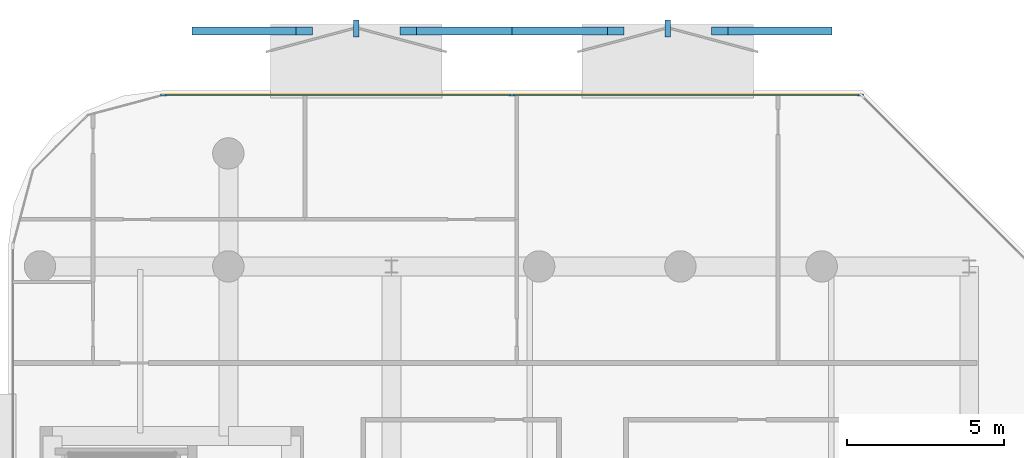
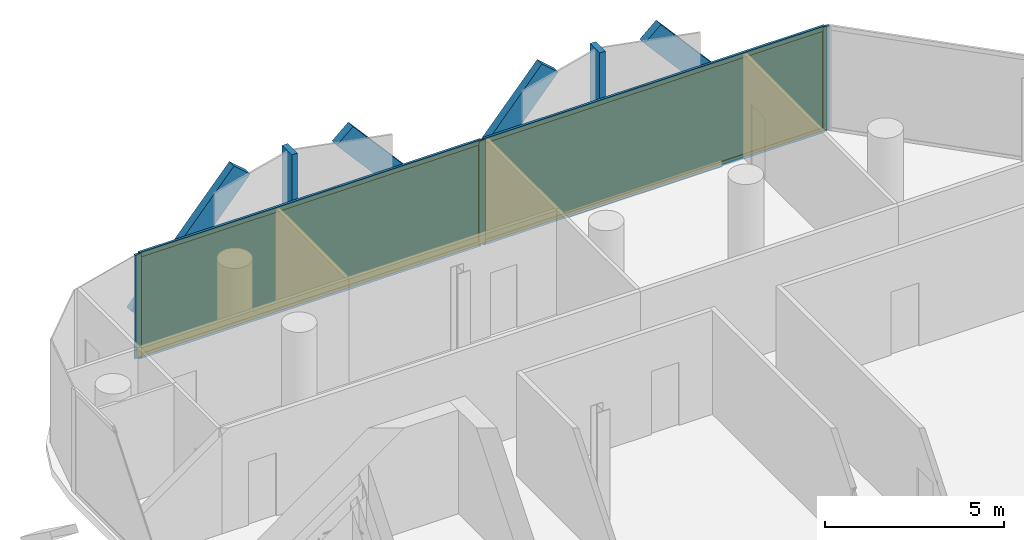
# One storey, part 11 of 16: 13 members, 2 plates, 1 curtain wall.
"""IFC4 building model written with IfcOpenShell, lengths in metres."""

from ifc_helpers import new_model, si_unit, direction, frame, frame_2d, origin, origin_2d, place, context, subcontext, project, spatial, rectangle, extrude, material, layer, layer_set, material_profile, profile_set, type_object, element, aggregate, save


model = new_model("IFC4")

# Units and contexts
model_context = context("Model", 3, precision=1e-05, world=origin(), true_north=direction((0.0, 1.0)))
body_context = subcontext(model_context, "Body", "Model", "MODEL_VIEW")
ifc_project = project(units=[si_unit("LENGTHUNIT", "METRE"), si_unit("AREAUNIT", "SQUARE_METRE"), si_unit("VOLUMEUNIT", "CUBIC_METRE"), si_unit("PLANEANGLEUNIT", "RADIAN"), si_unit("MASSUNIT", "GRAM", prefix="KILO")], contexts=[model_context])

# Member
ifc_material_1 = material(Name="Anodised Bronze Aluminium 6063-T6", Category="aluminium")
ifc_material_profile_1 = material_profile(ifc_material_1, rectangle(XDim=0.260009765625, YDim=0.699951171875, at=origin_2d()))
ifc_profile_set_1 = profile_set([ifc_material_profile_1], Name="Anodised Bronze Aluminium 6063-T6")
member_type_1 = type_object("IfcMemberType", Name="Bronze Diamond Solar-Screen Lattice Rib BDL-700", PredefinedType="MULLION", material=ifc_profile_set_1)
site_placement = place(None, origin())
building_placement = place(site_placement, origin())
storey_placement = place(building_placement, frame((0.0, 0.0, 311.800048828125)))
member_1_placement = place(storey_placement, frame((-15.290771484375, 26.10009765625, -0.130126953125), z_axis=(0.656681195754, 0.0, 0.754168288343), x_axis=(0.0, 1.0, 0.0)))
member_1 = element("IfcMember", 1, at=member_1_placement, type_object=member_type_1, Name="L75 Bronze Diamond Solar Screen Lattice Rib 530A", PredefinedType="MULLION", context=body_context, shape_type="SweptSolid", body=[
    extrude(rectangle(XDim=0.260009765625, YDim=0.699951171875, at=origin_2d()), origin(), (0.0, 0.0, 1.0), 5.038818359375),
])

member_2_placement = place(storey_placement, frame((-5.364501953125, 26.10009765625, -0.130126953125), z_axis=(-0.656653635933, 0.0, 0.754192284777), x_axis=(0.0, -1.0, 0.0)))
member_2 = element("IfcMember", 2, at=member_2_placement, type_object=member_type_1, Name="L75 Bronze Diamond Solar Screen Lattice Rib 530B", PredefinedType="MULLION", context=body_context, shape_type="SweptSolid", body=[
    extrude(rectangle(XDim=0.260009765625, YDim=0.699951171875, at=origin_2d()), origin(), (0.0, 0.0, 1.0), 5.03857421875),
])

member_3_placement = place(storey_placement, frame((-5.364501953125, 26.10009765625, -0.130126953125), z_axis=(0.656681195754, 0.0, 0.754168288343), x_axis=(0.0, 1.0, 0.0)))
member_3 = element("IfcMember", 3, at=member_3_placement, type_object=member_type_1, Name="L75 Bronze Diamond Solar Screen Lattice Rib 531A", PredefinedType="MULLION", context=body_context, shape_type="SweptSolid", body=[
    extrude(rectangle(XDim=0.260009765625, YDim=0.699951171875, at=origin_2d()), origin(), (0.0, 0.0, 1.0), 5.038818359375),
])

member_4_placement = place(storey_placement, frame((4.56201171875, 26.10009765625, -0.130126953125), z_axis=(-0.656681195754, 0.0, 0.754168288343), x_axis=(0.0, -1.0, 0.0)))
member_4 = element("IfcMember", 4, at=member_4_placement, type_object=member_type_1, Name="L75 Bronze Diamond Solar Screen Lattice Rib 531B", PredefinedType="MULLION", context=body_context, shape_type="SweptSolid", body=[
    extrude(rectangle(XDim=0.260009765625, YDim=0.699951171875, at=origin_2d()), origin(), (0.0, 0.0, 1.0), 5.038818359375),
])

ifc_material_2 = material(Name="Anodised Bronze Aluminium 6063-T6", Category="aluminium")
ifc_material_profile_2 = material_profile(ifc_material_2, rectangle(XDim=0.179931640625, YDim=0.5400390625, at=origin_2d()))
ifc_profile_set_2 = profile_set([ifc_material_profile_2], Name="Anodised Bronze Aluminium 6063-T6")
member_type_2 = type_object("IfcMemberType", Name="Bronze Solar-Screen Vertical Fold Fin BSF-540", PredefinedType="MULLION", material=ifc_profile_set_2)
member_5_placement = place(storey_placement, frame((-10.32763671875, 26.179931640625, -0.130126953125), z_axis=(0.0, 0.0, 1.0), x_axis=(1.0, 0.0, 0.0)))
member_5 = element("IfcMember", 5, at=member_5_placement, type_object=member_type_2, Name="L75 Bronze Solar Screen Vertical Fin 530", PredefinedType="MULLION", context=body_context, shape_type="SweptSolid", body=[
    extrude(rectangle(XDim=0.179931640625, YDim=0.5400390625, at=origin_2d()), origin(), (0.0, 0.0, 1.0), 3.800048828125),
])

member_6_placement = place(storey_placement, frame((-0.401123046875, 26.179931640625, -0.130126953125), z_axis=(0.0, 0.0, 1.0), x_axis=(1.0, 0.0, 0.0)))
member_6 = element("IfcMember", 6, at=member_6_placement, type_object=member_type_2, Name="L75 Bronze Solar Screen Vertical Fin 531", PredefinedType="MULLION", context=body_context, shape_type="SweptSolid", body=[
    extrude(rectangle(XDim=0.179931640625, YDim=0.5400390625, at=origin_2d()), origin(), (0.0, 0.0, 1.0), 3.800048828125),
])

ifc_material_3 = material(Name="Anodised Bronze Aluminium 6063-T6", Category="aluminium")
ifc_material_profile_3 = material_profile(ifc_material_3, rectangle(XDim=0.074951171875, YDim=0.2099609375, at=origin_2d()))
ifc_profile_set_3 = profile_set([ifc_material_profile_3], Name="Anodised Bronze Aluminium 6063-T6")
member_type_3 = type_object("IfcMemberType", Name="CW-CRN Mullion 75x210", PredefinedType="MULLION", material=ifc_profile_set_3)
member_7_placement = place(storey_placement, frame((-16.453369140625, 24.06005859375, 0.0), z_axis=(0.0, 0.0, 1.0), x_axis=(0.0, 1.0, 0.0)))
member_7 = element("IfcMember", 7, at=member_7_placement, type_object=member_type_3, Name="CW-CRN mullion 1", PredefinedType="MULLION", context=body_context, shape_type="SweptSolid", body=[
    extrude(rectangle(XDim=0.074951171875, YDim=0.2099609375, at=origin_2d()), origin(), (0.0, 0.0, 1.0), 3.5400390625),
])

member_8_placement = place(storey_placement, frame((-5.364501953125, 24.06005859375, 0.0), z_axis=(0.0, 0.0, 1.0), x_axis=(0.0, 1.0, 0.0)))
member_8 = element("IfcMember", 8, at=member_8_placement, type_object=member_type_3, Name="CW-CRN mullion 2", PredefinedType="MULLION", context=body_context, shape_type="SweptSolid", body=[
    extrude(rectangle(XDim=0.074951171875, YDim=0.2099609375, at=origin_2d()), origin(), (0.0, 0.0, 1.0), 3.5400390625),
])

member_9_placement = place(storey_placement, frame((5.724609375, 24.06005859375, 0.0), z_axis=(0.0, 0.0, 1.0), x_axis=(0.0, 1.0, 0.0)))
member_9 = element("IfcMember", 9, at=member_9_placement, type_object=member_type_3, Name="CW-CRN mullion 3", PredefinedType="MULLION", context=body_context, shape_type="SweptSolid", body=[
    extrude(rectangle(XDim=0.074951171875, YDim=0.2099609375, at=origin_2d()), origin(), (0.0, 0.0, 1.0), 3.5400390625),
])

ifc_material_4 = material(Name="Anodised Bronze Aluminium 6063-T6", Category="aluminium")
ifc_material_profile_4 = material_profile(ifc_material_4, rectangle(XDim=0.074951171875, YDim=0.1650390625, at=origin_2d()))
ifc_profile_set_4 = profile_set([ifc_material_profile_4], Name="Anodised Bronze Aluminium 6063-T6")
member_type_4 = type_object("IfcMemberType", Name="CW-CRN Transom 75x165", PredefinedType="USERDEFINED", material=ifc_profile_set_4)
member_10_placement = place(storey_placement, frame((-16.415771484375, 24.06005859375, 0.037353515625), z_axis=(1.0, 0.0, 0.0), x_axis=(0.0, 1.0, 0.0)))
member_10 = element("IfcMember", 10, at=member_10_placement, type_object=member_type_4, Name="CW-CRN transom 1.1", ObjectType="TRANSOM", PredefinedType="USERDEFINED", context=body_context, shape_type="SweptSolid", body=[
    extrude(rectangle(XDim=0.074951171875, YDim=0.1650390625, at=origin_2d()), origin(), (0.0, 0.0, 1.0), 11.013916015625),
])

member_11_placement = place(storey_placement, frame((-16.415771484375, 24.06005859375, 3.50244140625), z_axis=(1.0, 0.0, 0.0), x_axis=(0.0, 1.0, 0.0)))
member_11 = element("IfcMember", 11, at=member_11_placement, type_object=member_type_4, Name="CW-CRN transom 1.2", ObjectType="TRANSOM", PredefinedType="USERDEFINED", context=body_context, shape_type="SweptSolid", body=[
    extrude(rectangle(XDim=0.074951171875, YDim=0.1650390625, at=origin_2d()), origin(), (0.0, 0.0, 1.0), 11.013916015625),
])

member_12_placement = place(storey_placement, frame((-5.326904296875, 24.06005859375, 0.037353515625), z_axis=(1.0, 0.0, 0.0), x_axis=(0.0, 1.0, 0.0)))
member_12 = element("IfcMember", 12, at=member_12_placement, type_object=member_type_4, Name="CW-CRN transom 2.1", ObjectType="TRANSOM", PredefinedType="USERDEFINED", context=body_context, shape_type="SweptSolid", body=[
    extrude(rectangle(XDim=0.074951171875, YDim=0.1650390625, at=origin_2d()), origin(), (0.0, 0.0, 1.0), 11.013916015625),
])

member_13_placement = place(storey_placement, frame((-5.326904296875, 24.06005859375, 3.50244140625), z_axis=(1.0, 0.0, 0.0), x_axis=(0.0, 1.0, 0.0)))
member_13 = element("IfcMember", 13, at=member_13_placement, type_object=member_type_4, Name="CW-CRN transom 2.2", ObjectType="TRANSOM", PredefinedType="USERDEFINED", context=body_context, shape_type="SweptSolid", body=[
    extrude(rectangle(XDim=0.074951171875, YDim=0.1650390625, at=origin_2d()), origin(), (0.0, 0.0, 1.0), 11.013916015625),
])

# Plate
ifc_material_5 = material(Name="Low-E Solar Control Laminated Glass", Category="glass")
ifc_layer_1 = layer(ifc_material_5, 0.035888671875, Name="Low-E Solar Control Laminated Glass")
ifc_layer_set_1 = layer_set([ifc_layer_1], Name="Low-E Solar Control Laminated Glass")
plate_type = type_object("IfcPlateType", Name="CW-CRN Low-E Double Glazed Panel 36mm", PredefinedType="CURTAIN_PANEL", material=ifc_layer_set_1)
plate_1_placement = place(storey_placement, frame((-10.908935546875, 24.06005859375, 0.0751953125), z_axis=(0.0, 0.0, 1.0), x_axis=(1.0, 0.0, 0.0)))
plate_1 = element("IfcPlate", 14, at=plate_1_placement, type_object=plate_type, Name="CW-CRN panel 1.1", PredefinedType="CURTAIN_PANEL", context=body_context, shape_type="SweptSolid", body=[
    extrude(rectangle(XDim=11.013916015625, YDim=0.035888671875, at=origin_2d()), origin(), (0.0, 0.0, 1.0), 3.389892578125),
])

plate_2_placement = place(storey_placement, frame((0.179931640625, 24.06005859375, 0.0751953125), z_axis=(0.0, 0.0, 1.0), x_axis=(1.0, 0.0, 0.0)))
plate_2 = element("IfcPlate", 15, at=plate_2_placement, type_object=plate_type, Name="CW-CRN panel 2.1", PredefinedType="CURTAIN_PANEL", context=body_context, shape_type="SweptSolid", body=[
    extrude(rectangle(XDim=11.013916015625, YDim=0.035888671875, at=origin_2d()), origin(), (0.0, 0.0, 1.0), 3.389892578125),
])

# Site, building, storey
site = spatial("IfcSite", under=ifc_project, at=site_placement, CompositionType="ELEMENT")
building = spatial("IfcBuilding", under=site, at=building_placement, Name="Khairoan Windgate Tower", CompositionType="ELEMENT")
storey = spatial("IfcBuildingStorey", under=building, at=storey_placement, Name="L75", CompositionType="ELEMENT", Elevation=311.800048828125)

# Curtain wall
ifc_material_6 = material(Name="Anodised Bronze Aluminium 6063-T6", Category="aluminium")
ifc_layer_2 = layer(ifc_material_6, 0.2099609375, Name="Anodised Bronze Aluminium 6063-T6")
ifc_layer_set_2 = layer_set([ifc_layer_2], Name="Anodised Bronze Aluminium 6063-T6")
curtain_wall_type = type_object("IfcCurtainWallType", Name="Crown Observation and Vitrine Curtain Wall CW-CRN", PredefinedType="NOTDEFINED", material=ifc_layer_set_2)
curtain_wall_placement = place(storey_placement, frame((-16.49072265625, 24.06005859375, 0.0), z_axis=(0.0, 0.0, 1.0), x_axis=(1.0, 0.0, 0.0)))
curtain_wall = element("IfcCurtainWall", 16, at=curtain_wall_placement, inside=storey, type_object=curtain_wall_type, Name="L75 Unitised Curtain Wall 7", PredefinedType="NOTDEFINED", context=body_context, shape_type="SweptSolid", body=[
    extrude(rectangle(XDim=22.252685546875, YDim=0.010009765625, at=frame_2d((11.12646484375, 0.0))), origin(), (0.0, 0.0, 1.0), 3.5400390625),
])

aggregate(curtain_wall, [member_7, member_8, member_9, member_10, member_11, plate_1, member_12, member_13, plate_2, member_1, member_2, member_5, member_3, member_4, member_6])

save(model, "model.ifc")
